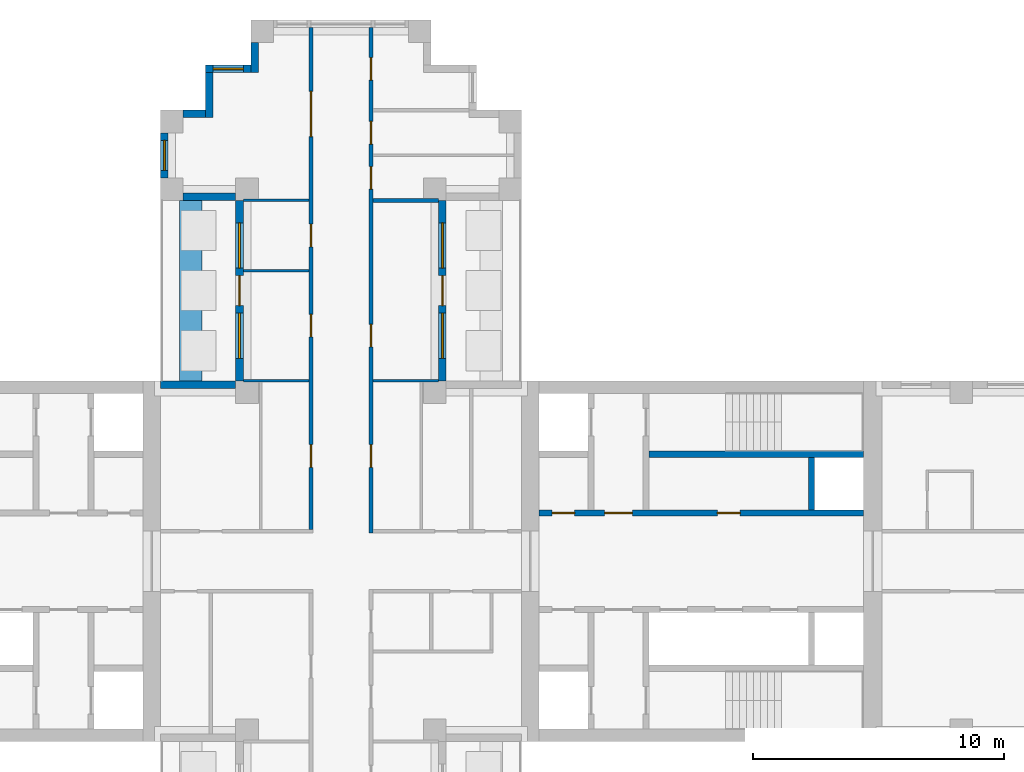
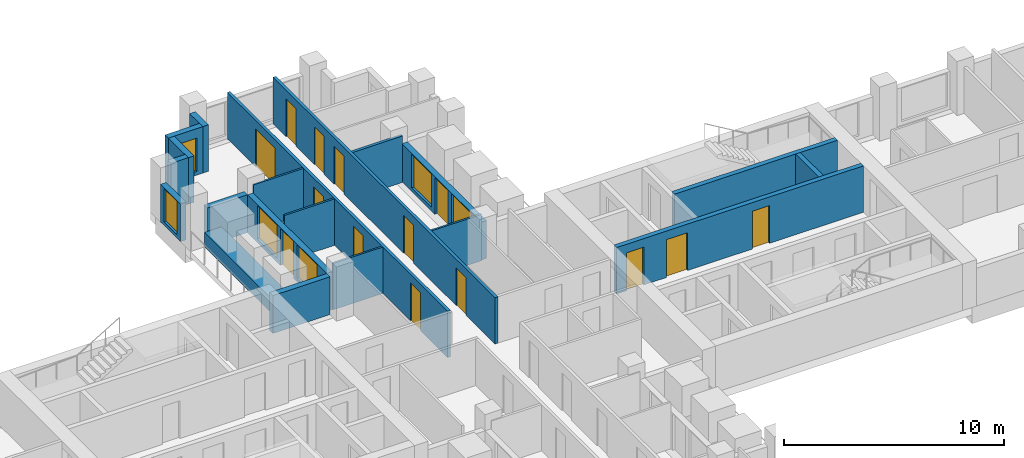
# One storey, part 9 of 14: 20 walls, 14 doors, 6 windows, 20 openings.
"""IFC4 building model written with IfcOpenShell, lengths in metres."""

from ifc_helpers import new_model, si_unit, direction, frame, frame_2d, origin, place, context, subcontext, project, spatial, rectangle, extrude, material, layer, layer_set, type_object, element, fill, save


model = new_model("IFC4")

# Units and contexts
model_context = context("Model", 3, precision=1e-05, world=origin(), true_north=direction((0.0, 1.0)))
body_context = subcontext(model_context, "Body", "Model", "MODEL_VIEW")
ifc_project = project(units=[si_unit("LENGTHUNIT", "METRE"), si_unit("AREAUNIT", "SQUARE_METRE"), si_unit("VOLUMEUNIT", "CUBIC_METRE"), si_unit("PLANEANGLEUNIT", "RADIAN"), si_unit("MASSUNIT", "GRAM", prefix="KILO")], contexts=[model_context])

# Site, building, storey
site_placement = place(None, origin())
site = spatial("IfcSite", under=ifc_project, at=site_placement, CompositionType="ELEMENT")
building_placement = place(site_placement, origin())
building = spatial("IfcBuilding", under=site, at=building_placement, Name="Fustian Cross Tower", CompositionType="ELEMENT")
storey_placement = place(building_placement, frame((0.0, 0.0, 96.89990234375)))
storey = spatial("IfcBuildingStorey", under=building, at=storey_placement, Name="L30", CompositionType="ELEMENT", Elevation=96.89990234375)

# Wall, openings, doors
ifc_material_1 = material(Name="Plasterboard on steel stud", Category="steel")
ifc_layer_1 = layer(ifc_material_1, 0.14990234375)
ifc_layer_set_1 = layer_set([ifc_layer_1], Name="Plasterboard on steel stud")
wall_type_1 = type_object("IfcWallType", Name="COMPARTMENT WALL 150 EI 60", PredefinedType="PARTITIONING", material=ifc_layer_set_1)
wall_1_placement = place(storey_placement, frame((-1.199951171875, 1.27490234375, 0.0), z_axis=(0.0, 0.0, 1.0), x_axis=(0.0, 1.0, 0.0)))
wall_1 = element("IfcWall", 1, at=wall_1_placement, inside=storey, type_object=wall_type_1, Name="Partition 42", PredefinedType="PARTITIONING", context=body_context, shape_type="SweptSolid", body=[
    extrude(rectangle(XDim=20.025146484375, YDim=0.14990234375, at=frame_2d((10.0126953125, 0.0))), origin(), (0.0, 0.0, 1.0), 2.5751953125),
])
opening_1_placement = place(wall_1_placement, frame((2.47509765625, 0.0, 0.0)))
opening_1 = element("IfcOpeningElement", 2, at=opening_1_placement, cuts=wall_1, Name="Opening D14004", PredefinedType="OPENING", context=body_context, shape_type="SweptSolid", body=[
    extrude(rectangle(XDim=0.89990234375, YDim=2.10009765625, at=frame_2d((0.449951171875, 1.050048828125))), frame((0.0, 0.0849609375, 0.0), z_axis=(0.0, -1.0, 0.0), x_axis=(1.0, 0.0, 0.0)), (0.0, 0.0, 1.0), 0.169921875),
])
opening_2_placement = place(wall_1_placement, frame((11.27490234375, 0.0, 0.0)))
opening_2 = element("IfcOpeningElement", 3, at=opening_2_placement, cuts=wall_1, Name="Opening D14020", PredefinedType="OPENING", context=body_context, shape_type="SweptSolid", body=[
    extrude(rectangle(XDim=0.89990234375, YDim=2.10009765625, at=frame_2d((0.449951171875, 1.050048828125))), frame((0.0, 0.0849609375, 0.0), z_axis=(0.0, -1.0, 0.0), x_axis=(1.0, 0.0, 0.0)), (0.0, 0.0, 1.0), 0.169921875),
])
opening_3_placement = place(wall_1_placement, frame((7.675048828125, 0.0, 0.0)))
opening_3 = element("IfcOpeningElement", 4, at=opening_3_placement, cuts=wall_1, Name="Opening D14021", PredefinedType="OPENING", context=body_context, shape_type="SweptSolid", body=[
    extrude(rectangle(XDim=0.89990234375, YDim=2.10009765625, at=frame_2d((0.449951171875, 1.050048828125))), frame((0.0, 0.0849609375, 0.0), z_axis=(0.0, -1.0, 0.0), x_axis=(1.0, 0.0, 0.0)), (0.0, 0.0, 1.0), 0.169921875),
])
opening_4_placement = place(wall_1_placement, frame((15.675048828125, 0.0, 0.0)))
opening_4 = element("IfcOpeningElement", 5, at=opening_4_placement, cuts=wall_1, Name="Opening D14022", PredefinedType="OPENING", context=body_context, shape_type="SweptSolid", body=[
    extrude(rectangle(XDim=1.800048828125, YDim=2.10009765625, at=frame_2d((0.89990234375, 1.050048828125))), frame((0.0, 0.0849609375, 0.0), z_axis=(0.0, -1.0, 0.0), x_axis=(1.0, 0.0, 0.0)), (0.0, 0.0, 1.0), 0.169921875),
])
ifc_material_2 = material(Name="Timber fire door set", Category="wood")
door_type_1 = type_object("IfcDoorType", Name="FIRE DOUBLE DOOR 1800 FD30S", OperationType="DOUBLE_DOOR_DOUBLE_SWING", PredefinedType="DOOR", material=ifc_material_2)
door_1_placement = place(opening_4_placement, frame((1.800048828125, 0.0, 0.0), z_axis=(0.0, 0.0, 1.0), x_axis=(-1.0, 0.0, 0.0)))
door_1 = element("IfcDoor", 6, at=door_1_placement, inside=storey, type_object=door_type_1, Name="Door D14022", OperationType="DOUBLE_DOOR_DOUBLE_SWING", OverallHeight=2.10009765625, OverallWidth=1.800048828125, PredefinedType="DOOR", context=body_context, shape_type="SweptSolid", body=[
    extrude(rectangle(XDim=1.800048828125, YDim=2.10009765625, at=frame_2d((0.89990234375, 1.050048828125))), frame((0.0, 0.02490234375, 0.0), z_axis=(0.0, -1.0, 0.0), x_axis=(1.0, 0.0, 0.0)), (0.0, 0.0, 1.0), 0.050048828125),
])
fill(opening_4, door_1)
ifc_material_3 = material(Name="Timber fire door set", Category="wood")
door_type_2 = type_object("IfcDoorType", Name="FIRE SWING DOOR 900 FD30S", OperationType="SINGLE_SWING_LEFT", PredefinedType="DOOR", material=ifc_material_3)
door_2_placement = place(opening_1_placement, origin())
door_2 = element("IfcDoor", 7, at=door_2_placement, inside=storey, type_object=door_type_2, Name="Door D14004", OperationType="SINGLE_SWING_LEFT", OverallHeight=2.10009765625, OverallWidth=0.89990234375, PredefinedType="DOOR", context=body_context, shape_type="SweptSolid", body=[
    extrude(rectangle(XDim=0.89990234375, YDim=2.10009765625, at=frame_2d((0.449951171875, 1.050048828125))), frame((0.0, 0.02490234375, 0.0), z_axis=(0.0, -1.0, 0.0), x_axis=(1.0, 0.0, 0.0)), (0.0, 0.0, 1.0), 0.050048828125),
])
fill(opening_1, door_2)
door_3_placement = place(opening_2_placement, origin())
door_3 = element("IfcDoor", 8, at=door_3_placement, inside=storey, type_object=door_type_2, Name="Door D14020", OperationType="SINGLE_SWING_LEFT", OverallHeight=2.10009765625, OverallWidth=0.89990234375, PredefinedType="DOOR", context=body_context, shape_type="SweptSolid", body=[
    extrude(rectangle(XDim=0.89990234375, YDim=2.10009765625, at=frame_2d((0.449951171875, 1.050048828125))), frame((0.0, 0.02490234375, 0.0), z_axis=(0.0, -1.0, 0.0), x_axis=(1.0, 0.0, 0.0)), (0.0, 0.0, 1.0), 0.050048828125),
])
fill(opening_2, door_3)
door_4_placement = place(opening_3_placement, origin())
door_4 = element("IfcDoor", 9, at=door_4_placement, inside=storey, type_object=door_type_2, Name="Door D14021", OperationType="SINGLE_SWING_LEFT", OverallHeight=2.10009765625, OverallWidth=0.89990234375, PredefinedType="DOOR", context=body_context, shape_type="SweptSolid", body=[
    extrude(rectangle(XDim=0.89990234375, YDim=2.10009765625, at=frame_2d((0.449951171875, 1.050048828125))), frame((0.0, 0.02490234375, 0.0), z_axis=(0.0, -1.0, 0.0), x_axis=(1.0, 0.0, 0.0)), (0.0, 0.0, 1.0), 0.050048828125),
])
fill(opening_3, door_4)

wall_2_placement = place(storey_placement, frame((1.199951171875, 1.125, 0.0), z_axis=(0.0, 0.0, 1.0), x_axis=(0.0, 1.0, 0.0)))
wall_2 = element("IfcWall", 10, at=wall_2_placement, inside=storey, type_object=wall_type_1, Name="Partition 50", PredefinedType="PARTITIONING", context=body_context, shape_type="SweptSolid", body=[
    extrude(rectangle(XDim=20.175048828125, YDim=0.14990234375, at=frame_2d((10.08740234375, 0.0))), origin(), (0.0, 0.0, 1.0), 2.5751953125),
])
opening_5_placement = place(wall_2_placement, frame((2.625, 0.0, 0.0)))
opening_5 = element("IfcOpeningElement", 11, at=opening_5_placement, cuts=wall_2, Name="Opening D14001", PredefinedType="OPENING", context=body_context, shape_type="SweptSolid", body=[
    extrude(rectangle(XDim=0.89990234375, YDim=2.10009765625, at=frame_2d((0.449951171875, 1.050048828125))), frame((0.0, 0.0849609375, 0.0), z_axis=(0.0, -1.0, 0.0), x_axis=(1.0, 0.0, 0.0)), (0.0, 0.0, 1.0), 0.169921875),
])
opening_6_placement = place(wall_2_placement, frame((7.425048828125, 0.0, 0.0)))
opening_6 = element("IfcOpeningElement", 12, at=opening_6_placement, cuts=wall_2, Name="Opening D14023", PredefinedType="OPENING", context=body_context, shape_type="SweptSolid", body=[
    extrude(rectangle(XDim=0.89990234375, YDim=2.10009765625, at=frame_2d((0.449951171875, 1.050048828125))), frame((0.0, 0.0849609375, 0.0), z_axis=(0.0, -1.0, 0.0), x_axis=(1.0, 0.0, 0.0)), (0.0, 0.0, 1.0), 0.169921875),
])
opening_7_placement = place(wall_2_placement, frame((13.72509765625, 0.0, 0.0)))
opening_7 = element("IfcOpeningElement", 13, at=opening_7_placement, cuts=wall_2, Name="Opening D14024", PredefinedType="OPENING", context=body_context, shape_type="SweptSolid", body=[
    extrude(rectangle(XDim=0.89990234375, YDim=2.10009765625, at=frame_2d((0.449951171875, 1.050048828125))), frame((0.0, 0.0849609375, 0.0), z_axis=(0.0, -1.0, 0.0), x_axis=(1.0, 0.0, 0.0)), (0.0, 0.0, 1.0), 0.169921875),
])
opening_8_placement = place(wall_2_placement, frame((15.52490234375, 0.0, 0.0)))
opening_8 = element("IfcOpeningElement", 14, at=opening_8_placement, cuts=wall_2, Name="Opening D14025", PredefinedType="OPENING", context=body_context, shape_type="SweptSolid", body=[
    extrude(rectangle(XDim=0.89990234375, YDim=2.10009765625, at=frame_2d((0.449951171875, 1.050048828125))), frame((0.0, 0.0849609375, 0.0), z_axis=(0.0, -1.0, 0.0), x_axis=(1.0, 0.0, 0.0)), (0.0, 0.0, 1.0), 0.169921875),
])
opening_9_placement = place(wall_2_placement, frame((18.074951171875, 0.0, 0.0)))
opening_9 = element("IfcOpeningElement", 15, at=opening_9_placement, cuts=wall_2, Name="Opening D14026", PredefinedType="OPENING", context=body_context, shape_type="SweptSolid", body=[
    extrude(rectangle(XDim=0.89990234375, YDim=2.10009765625, at=frame_2d((0.449951171875, 1.050048828125))), frame((0.0, 0.0849609375, 0.0), z_axis=(0.0, -1.0, 0.0), x_axis=(1.0, 0.0, 0.0)), (0.0, 0.0, 1.0), 0.169921875),
])
door_5_placement = place(opening_5_placement, frame((0.89990234375, 0.0, 0.0), z_axis=(0.0, 0.0, 1.0), x_axis=(-1.0, 0.0, 0.0)))
door_5 = element("IfcDoor", 16, at=door_5_placement, inside=storey, type_object=door_type_2, Name="Door D14001", OperationType="SINGLE_SWING_RIGHT", OverallHeight=2.10009765625, OverallWidth=0.89990234375, PredefinedType="DOOR", context=body_context, shape_type="SweptSolid", body=[
    extrude(rectangle(XDim=0.89990234375, YDim=2.10009765625, at=frame_2d((0.449951171875, 1.050048828125))), frame((0.0, 0.02490234375, 0.0), z_axis=(0.0, -1.0, 0.0), x_axis=(1.0, 0.0, 0.0)), (0.0, 0.0, 1.0), 0.050048828125),
])
fill(opening_5, door_5)
door_6_placement = place(opening_6_placement, frame((0.89990234375, 0.0, 0.0), z_axis=(0.0, 0.0, 1.0), x_axis=(-1.0, 0.0, 0.0)))
door_6 = element("IfcDoor", 17, at=door_6_placement, inside=storey, type_object=door_type_2, Name="Door D14023", OperationType="SINGLE_SWING_RIGHT", OverallHeight=2.10009765625, OverallWidth=0.89990234375, PredefinedType="DOOR", context=body_context, shape_type="SweptSolid", body=[
    extrude(rectangle(XDim=0.89990234375, YDim=2.10009765625, at=frame_2d((0.449951171875, 1.050048828125))), frame((0.0, 0.02490234375, 0.0), z_axis=(0.0, -1.0, 0.0), x_axis=(1.0, 0.0, 0.0)), (0.0, 0.0, 1.0), 0.050048828125),
])
fill(opening_6, door_6)
door_7_placement = place(opening_7_placement, frame((0.89990234375, 0.0, 0.0), z_axis=(0.0, 0.0, 1.0), x_axis=(-1.0, 0.0, 0.0)))
door_7 = element("IfcDoor", 18, at=door_7_placement, inside=storey, type_object=door_type_2, Name="Door D14024", OperationType="SINGLE_SWING_LEFT", OverallHeight=2.10009765625, OverallWidth=0.89990234375, PredefinedType="DOOR", context=body_context, shape_type="SweptSolid", body=[
    extrude(rectangle(XDim=0.89990234375, YDim=2.10009765625, at=frame_2d((0.449951171875, 1.050048828125))), frame((0.0, 0.02490234375, 0.0), z_axis=(0.0, -1.0, 0.0), x_axis=(1.0, 0.0, 0.0)), (0.0, 0.0, 1.0), 0.050048828125),
])
fill(opening_7, door_7)
door_8_placement = place(opening_8_placement, frame((0.89990234375, 0.0, 0.0), z_axis=(0.0, 0.0, 1.0), x_axis=(-1.0, 0.0, 0.0)))
door_8 = element("IfcDoor", 19, at=door_8_placement, inside=storey, type_object=door_type_2, Name="Door D14025", OperationType="SINGLE_SWING_LEFT", OverallHeight=2.10009765625, OverallWidth=0.89990234375, PredefinedType="DOOR", context=body_context, shape_type="SweptSolid", body=[
    extrude(rectangle(XDim=0.89990234375, YDim=2.10009765625, at=frame_2d((0.449951171875, 1.050048828125))), frame((0.0, 0.02490234375, 0.0), z_axis=(0.0, -1.0, 0.0), x_axis=(1.0, 0.0, 0.0)), (0.0, 0.0, 1.0), 0.050048828125),
])
fill(opening_8, door_8)
door_9_placement = place(opening_9_placement, frame((0.89990234375, 0.0, 0.0), z_axis=(0.0, 0.0, 1.0), x_axis=(-1.0, 0.0, 0.0)))
door_9 = element("IfcDoor", 20, at=door_9_placement, inside=storey, type_object=door_type_2, Name="Door D14026", OperationType="SINGLE_SWING_RIGHT", OverallHeight=2.10009765625, OverallWidth=0.89990234375, PredefinedType="DOOR", context=body_context, shape_type="SweptSolid", body=[
    extrude(rectangle(XDim=0.89990234375, YDim=2.10009765625, at=frame_2d((0.449951171875, 1.050048828125))), frame((0.0, 0.02490234375, 0.0), z_axis=(0.0, -1.0, 0.0), x_axis=(1.0, 0.0, 0.0)), (0.0, 0.0, 1.0), 0.050048828125),
])
fill(opening_9, door_9)

# Wall
wall_3_placement = place(storey_placement, frame((1.27490234375, 14.39990234375, 0.0), z_axis=(0.0, 0.0, 1.0), x_axis=(1.0, 0.0, 0.0)))
element("IfcWall", 21, at=wall_3_placement, inside=storey, type_object=wall_type_1, Name="Partition 53", PredefinedType="PARTITIONING", context=body_context, shape_type="SweptSolid", body=[
    extrude(rectangle(XDim=2.625, YDim=0.14990234375, at=frame_2d((1.3125, 0.0))), origin(), (0.0, 0.0, 1.0), 2.5751953125),
])

# Wall, openings, doors
ifc_material_4 = material(Name="Concrete C50/60", Category="concrete")
ifc_layer_2 = layer(ifc_material_4, 0.25)
ifc_layer_set_2 = layer_set([ifc_layer_2], Name="Concrete C50/60")
wall_type_2 = type_object("IfcWallType", Name="CORE LOBBY WALL 250 C50/60", PredefinedType="SHEAR", material=ifc_layer_set_2)
wall_4_placement = place(storey_placement, frame((7.89990234375, 1.925048828125, 0.0), z_axis=(0.0, 0.0, 1.0), x_axis=(1.0, 0.0, 0.0)))
wall_4 = element("IfcWall", 22, at=wall_4_placement, inside=storey, type_object=wall_type_2, Name="Core lobby wall", PredefinedType="SHEAR", context=body_context, shape_type="SweptSolid", body=[
    extrude(rectangle(XDim=12.9501953125, YDim=0.25, at=frame_2d((6.47509765625, 0.0))), origin(), (0.0, 0.0, 1.0), 2.5751953125),
])
opening_10_placement = place(wall_4_placement, frame((0.52490234375, 0.0, 0.0)))
opening_10 = element("IfcOpeningElement", 23, at=opening_10_placement, cuts=wall_4, Name="Opening CD-09-08", PredefinedType="OPENING", context=body_context, shape_type="SweptSolid", body=[
    extrude(rectangle(XDim=0.89990234375, YDim=2.10009765625, at=frame_2d((0.449951171875, 1.050048828125))), frame((0.0, 0.135009765625, 0.0), z_axis=(0.0, -1.0, 0.0), x_axis=(1.0, 0.0, 0.0)), (0.0, 0.0, 1.0), 0.27001953125),
])
opening_11_placement = place(wall_4_placement, frame((2.625, 0.0, 0.0)))
opening_11 = element("IfcOpeningElement", 24, at=opening_11_placement, cuts=wall_4, Name="Opening CD-09-10", PredefinedType="OPENING", context=body_context, shape_type="SweptSolid", body=[
    extrude(rectangle(XDim=1.10009765625, YDim=2.10009765625, at=frame_2d((0.550048828125, 1.050048828125))), frame((0.0, 0.135009765625, 0.0), z_axis=(0.0, -1.0, 0.0), x_axis=(1.0, 0.0, 0.0)), (0.0, 0.0, 1.0), 0.27001953125),
])
opening_12_placement = place(wall_4_placement, frame((7.125, 0.0, 0.0)))
opening_12 = element("IfcOpeningElement", 25, at=opening_12_placement, cuts=wall_4, Name="Opening CD-09-14", PredefinedType="OPENING", context=body_context, shape_type="SweptSolid", body=[
    extrude(rectangle(XDim=0.89990234375, YDim=2.10009765625, at=frame_2d((0.449951171875, 1.050048828125))), frame((0.0, 0.135009765625, 0.0), z_axis=(0.0, -1.0, 0.0), x_axis=(1.0, 0.0, 0.0)), (0.0, 0.0, 1.0), 0.27001953125),
])
ifc_material_5 = material(Name="Steel", Category="steel")
door_type_3 = type_object("IfcDoorType", Name="FIRE DOOR FD30S 900X2100", OperationType="SINGLE_SWING_LEFT", PredefinedType="DOOR", material=ifc_material_5)
door_10_placement = place(opening_12_placement, origin())
door_10 = element("IfcDoor", 26, at=door_10_placement, inside=storey, type_object=door_type_3, Name="Core door CD-09-14", OperationType="SINGLE_SWING_LEFT", OverallHeight=2.10009765625, OverallWidth=0.89990234375, PredefinedType="DOOR", context=body_context, shape_type="SweptSolid", body=[
    extrude(rectangle(XDim=0.89990234375, YDim=2.10009765625, at=frame_2d((0.449951171875, 1.050048828125))), frame((0.0, 0.02490234375, 0.0), z_axis=(0.0, -1.0, 0.0), x_axis=(1.0, 0.0, 0.0)), (0.0, 0.0, 1.0), 0.050048828125),
])
fill(opening_12, door_10)
ifc_material_6 = material(Name="Steel", Category="steel")
door_type_4 = type_object("IfcDoorType", Name="FIRE DOOR FD60S 1100X2100", OperationType="SINGLE_SWING_LEFT", PredefinedType="DOOR", material=ifc_material_6)
door_11_placement = place(opening_11_placement, frame((1.10009765625, 0.0, 0.0), z_axis=(0.0, 0.0, 1.0), x_axis=(-1.0, 0.0, 0.0)))
door_11 = element("IfcDoor", 27, at=door_11_placement, inside=storey, type_object=door_type_4, Name="Core door CD-09-10", OperationType="SINGLE_SWING_RIGHT", OverallHeight=2.10009765625, OverallWidth=1.10009765625, PredefinedType="DOOR", context=body_context, shape_type="SweptSolid", body=[
    extrude(rectangle(XDim=1.10009765625, YDim=2.10009765625, at=frame_2d((0.550048828125, 1.050048828125))), frame((0.0, 0.02490234375, 0.0), z_axis=(0.0, -1.0, 0.0), x_axis=(1.0, 0.0, 0.0)), (0.0, 0.0, 1.0), 0.050048828125),
])
fill(opening_11, door_11)
ifc_material_7 = material(Name="Steel", Category="steel")
door_type_5 = type_object("IfcDoorType", Name="FIRE DOOR FD60S 900X2100", OperationType="SINGLE_SWING_LEFT", PredefinedType="DOOR", material=ifc_material_7)
door_12_placement = place(opening_10_placement, origin())
door_12 = element("IfcDoor", 28, at=door_12_placement, inside=storey, type_object=door_type_5, Name="Core door CD-09-08", OperationType="SINGLE_SWING_LEFT", OverallHeight=2.10009765625, OverallWidth=0.89990234375, PredefinedType="DOOR", context=body_context, shape_type="SweptSolid", body=[
    extrude(rectangle(XDim=0.89990234375, YDim=2.10009765625, at=frame_2d((0.449951171875, 1.050048828125))), frame((0.0, 0.02490234375, 0.0), z_axis=(0.0, -1.0, 0.0), x_axis=(1.0, 0.0, 0.0)), (0.0, 0.0, 1.0), 0.050048828125),
])
fill(opening_10, door_12)

# Walls
ifc_material_8 = material(Name="Concrete C50/60", Category="concrete")
ifc_layer_3 = layer(ifc_material_8, 0.25)
ifc_layer_set_3 = layer_set([ifc_layer_3], Name="Concrete C50/60")
wall_type_3 = type_object("IfcWallType", Name="CORE SHAFT WALL 250 C50/60", PredefinedType="SHEAR", material=ifc_layer_set_3)
wall_5_placement = place(storey_placement, frame((12.300048828125, 4.27490234375, 0.0), z_axis=(0.0, 0.0, 1.0), x_axis=(1.0, 0.0, 0.0)))
element("IfcWall", 29, at=wall_5_placement, inside=storey, type_object=wall_type_3, Name="Core shaft wall", PredefinedType="SHEAR", context=body_context, shape_type="SweptSolid", body=[
    extrude(rectangle(XDim=8.550048828125, YDim=0.25, at=frame_2d((4.27490234375, 0.0))), origin(), (0.0, 0.0, 1.0), 2.5751953125),
])
ifc_material_9 = material(Name="Plasterboard on steel stud", Category="steel")
ifc_layer_4 = layer(ifc_material_9, 0.10009765625)
ifc_layer_set_4 = layer_set([ifc_layer_4], Name="Plasterboard on steel stud")
wall_type_4 = type_object("IfcWallType", Name="PARTITION 100 STUD", PredefinedType="PARTITIONING", material=ifc_layer_set_4)
for number, where, z_axis, x_axis, name in (
    (30, (-3.89990234375, 7.199951171875, 0.0), (0.0, 0.0, 1.0), (1.0, 0.0, 0.0), "Partition 35"),
    (31, (-3.89990234375, 11.60009765625, 0.0), (0.0, 0.0, 1.0), (1.0, 0.0, 0.0), "Partition 36"),
    (32, (-3.89990234375, 14.39990234375, 0.0), (0.0, 0.0, 1.0), (1.0, 0.0, 0.0), "Partition 37"),
    (33, (1.27490234375, 7.199951171875, 0.0), (0.0, 0.0, 1.0), (1.0, 0.0, 0.0), "Partition 52"),
):
    element("IfcWall", number, at=place(storey_placement, frame(where, z_axis=z_axis, x_axis=x_axis)), inside=storey, type_object=wall_type_4, Name=name, PredefinedType="PARTITIONING", context=body_context, shape_type="SweptSolid", body=[
        extrude(rectangle(XDim=2.625, YDim=0.10009765625, at=frame_2d((1.3125, 0.0))), origin(), (0.0, 0.0, 1.0), 2.5751953125),
    ])
ifc_material_10 = material(Name="Concrete C40/50", Category="concrete")
ifc_layer_5 = layer(ifc_material_10, 0.89990234375)
ifc_layer_set_5 = layer_set([ifc_layer_5], Name="Concrete C40/50")
wall_type_5 = type_object("IfcWallType", Name="PK1 PLANTER 900", PredefinedType="PARAPET", material=ifc_layer_set_5)
wall_6_placement = place(storey_placement, frame((-6.0, 7.199951171875, 0.0), z_axis=(0.0, 0.0, 1.0), x_axis=(0.0, 1.0, 0.0)))
element("IfcWall", 34, at=wall_6_placement, inside=storey, type_object=wall_type_5, Name="PLANTER", PredefinedType="PARAPET", context=body_context, shape_type="SweptSolid", body=[
    extrude(rectangle(XDim=7.199951171875, YDim=0.89990234375, at=frame_2d((3.60009765625, 0.0))), origin(), (0.0, 0.0, 1.0), 0.800048828125),
])
ifc_material_11 = material(Name="Concrete C40/50", Category="concrete")
ifc_layer_6 = layer(ifc_material_11, 0.25)
ifc_layer_set_6 = layer_set([ifc_layer_6], Name="Concrete C40/50")
wall_type_6 = type_object("IfcWallType", Name="SHAFT PARTITION WALL 250 C40/50", PredefinedType="PARTITIONING", material=ifc_layer_set_6)
wall_7_placement = place(storey_placement, frame((18.77490234375, 2.050048828125, 0.0), z_axis=(0.0, 0.0, 1.0), x_axis=(0.0, 1.0, 0.0)))
element("IfcWall", 35, at=wall_7_placement, inside=storey, type_object=wall_type_6, Name="Core shaft wall", PredefinedType="PARTITIONING", context=body_context, shape_type="SweptSolid", body=[
    extrude(rectangle(XDim=2.099853515625, YDim=0.25, at=frame_2d((1.0498046875, 0.0))), origin(), (0.0, 0.0, 1.0), 2.5751953125),
])

# Wall, openings, door, windows
ifc_material_12 = material(Name="Dark aluminium cladding on insulated backing wall", Category="aluminium")
ifc_layer_7 = layer(ifc_material_12, 0.300048828125)
ifc_layer_set_7 = layer_set([ifc_layer_7], Name="Dark aluminium cladding on insulated backing wall")
wall_type_7 = type_object("IfcWallType", Name="XW1 EXTERNAL WALL 300", PredefinedType="SOLIDWALL", material=ifc_layer_set_7)
wall_8_placement = place(storey_placement, frame((4.050048828125, 7.199951171875, 0.0), z_axis=(0.0, 0.0, 1.0), x_axis=(0.0, 1.0, 0.0)))
wall_8 = element("IfcWall", 36, at=wall_8_placement, inside=storey, type_object=wall_type_7, Name="External wall", PredefinedType="SOLIDWALL", context=body_context, shape_type="SweptSolid", body=[
    extrude(rectangle(XDim=7.199951171875, YDim=0.300048828125, at=frame_2d((3.60009765625, 0.0))), origin(), (0.0, 0.0, 1.0), 2.10009765625),
])
opening_13_placement = place(wall_8_placement, frame((3.0, 0.0, 0.0)))
opening_13 = element("IfcOpeningElement", 37, at=opening_13_placement, cuts=wall_8, Name="Opening XD1", PredefinedType="OPENING", context=body_context, shape_type="SweptSolid", body=[
    extrude(rectangle(XDim=1.199951171875, YDim=2.050048828125, at=frame_2d((0.60009765625, 1.02490234375))), frame((0.0, 0.159912109375, 0.0), z_axis=(0.0, -1.0, 0.0), x_axis=(1.0, 0.0, 0.0)), (0.0, 0.0, 1.0), 0.320068359375),
])
opening_14_placement = place(wall_8_placement, frame((0.89990234375, 0.0, 0.199951171875)))
opening_14 = element("IfcOpeningElement", 38, at=opening_14_placement, cuts=wall_8, Name="Opening WN2", PredefinedType="OPENING", context=body_context, shape_type="SweptSolid", body=[
    extrude(rectangle(XDim=1.800048828125, YDim=1.85009765625, at=frame_2d((0.89990234375, 0.925048828125))), frame((0.0, 0.159912109375, 0.0), z_axis=(0.0, -1.0, 0.0), x_axis=(1.0, 0.0, 0.0)), (0.0, 0.0, 1.0), 0.320068359375),
])
opening_15_placement = place(wall_8_placement, frame((4.5, 0.0, 0.199951171875)))
opening_15 = element("IfcOpeningElement", 39, at=opening_15_placement, cuts=wall_8, Name="Opening WN2", PredefinedType="OPENING", context=body_context, shape_type="SweptSolid", body=[
    extrude(rectangle(XDim=1.800048828125, YDim=1.85009765625, at=frame_2d((0.89990234375, 0.925048828125))), frame((0.0, 0.159912109375, 0.0), z_axis=(0.0, -1.0, 0.0), x_axis=(1.0, 0.0, 0.0)), (0.0, 0.0, 1.0), 0.320068359375),
])
ifc_material_13 = material(Name="Dark anodised aluminium and double glazing", Category="aluminium")
door_type_6 = type_object("IfcDoorType", Name="ED1 BALCONY DOOR 1200X2050", OperationType="SINGLE_SWING_LEFT", PredefinedType="DOOR", material=ifc_material_13)
door_13_placement = place(opening_13_placement, origin())
door_13 = element("IfcDoor", 40, at=door_13_placement, inside=storey, type_object=door_type_6, Name="Balcony door", OperationType="SINGLE_SWING_LEFT", OverallHeight=2.050048828125, OverallWidth=1.199951171875, PredefinedType="DOOR", context=body_context, shape_type="SweptSolid", body=[
    extrude(rectangle(XDim=1.199951171875, YDim=2.050048828125, at=frame_2d((0.60009765625, 1.02490234375))), frame((0.0, 0.02490234375, 0.0), z_axis=(0.0, -1.0, 0.0), x_axis=(1.0, 0.0, 0.0)), (0.0, 0.0, 1.0), 0.050048828125),
])
fill(opening_13, door_13)
ifc_material_14 = material(Name="Dark anodised aluminium and double glazing", Category="aluminium")
window_type_1 = type_object("IfcWindowType", Name="WN2 WINDOW 1800X1850", PartitioningType="SINGLE_PANEL", PredefinedType="WINDOW", material=ifc_material_14)
window_1_placement = place(opening_14_placement, origin())
window_1 = element("IfcWindow", 41, at=window_1_placement, inside=storey, type_object=window_type_1, Name="Window", OverallHeight=1.85009765625, OverallWidth=1.800048828125, PartitioningType="SINGLE_PANEL", PredefinedType="WINDOW", context=body_context, shape_type="SweptSolid", body=[
    extrude(rectangle(XDim=1.800048828125, YDim=1.85009765625, at=frame_2d((0.89990234375, 0.925048828125))), frame((0.0, 0.030029296875, 0.0), z_axis=(0.0, -1.0, 0.0), x_axis=(1.0, 0.0, 0.0)), (0.0, 0.0, 1.0), 0.06005859375),
])
fill(opening_14, window_1)
window_2_placement = place(opening_15_placement, origin())
window_2 = element("IfcWindow", 42, at=window_2_placement, inside=storey, type_object=window_type_1, Name="Window", OverallHeight=1.85009765625, OverallWidth=1.800048828125, PartitioningType="SINGLE_PANEL", PredefinedType="WINDOW", context=body_context, shape_type="SweptSolid", body=[
    extrude(rectangle(XDim=1.800048828125, YDim=1.85009765625, at=frame_2d((0.89990234375, 0.925048828125))), frame((0.0, 0.030029296875, 0.0), z_axis=(0.0, -1.0, 0.0), x_axis=(1.0, 0.0, 0.0)), (0.0, 0.0, 1.0), 0.06005859375),
])
fill(opening_15, window_2)

# Wall
wall_9_placement = place(storey_placement, frame((-3.449951171875, 20.699951171875, 0.0), z_axis=(0.0, 0.0, 1.0), x_axis=(0.0, -1.0, 0.0)))
element("IfcWall", 43, at=wall_9_placement, inside=storey, type_object=wall_type_7, Name="External wall", PredefinedType="SOLIDWALL", context=body_context, shape_type="SweptSolid", body=[
    extrude(rectangle(XDim=1.199951171875, YDim=0.300048828125, at=frame_2d((0.60009765625, 0.0))), origin(), (0.0, 0.0, 1.0), 2.5751953125),
])

# Wall, opening, window
wall_10_placement = place(storey_placement, frame((-3.60009765625, 19.64990234375, 0.0), z_axis=(0.0, 0.0, 1.0), x_axis=(-1.0, 0.0, 0.0)))
wall_10 = element("IfcWall", 44, at=wall_10_placement, inside=storey, type_object=wall_type_7, Name="External wall", PredefinedType="SOLIDWALL", context=body_context, shape_type="SweptSolid", body=[
    extrude(rectangle(XDim=1.7998046875, YDim=0.300048828125, at=frame_2d((0.89990234375, 0.0))), origin(), (0.0, 0.0, 1.0), 2.5751953125),
])
opening_16_placement = place(wall_10_placement, frame((0.300048828125, 0.0, 0.199951171875)))
opening_16 = element("IfcOpeningElement", 45, at=opening_16_placement, cuts=wall_10, Name="Opening WN3", PredefinedType="OPENING", context=body_context, shape_type="SweptSolid", body=[
    extrude(rectangle(XDim=1.199951171875, YDim=1.85009765625, at=frame_2d((0.60009765625, 0.925048828125))), frame((0.0, 0.159912109375, 0.0), z_axis=(0.0, -1.0, 0.0), x_axis=(1.0, 0.0, 0.0)), (0.0, 0.0, 1.0), 0.320068359375),
])
ifc_material_15 = material(Name="Dark anodised aluminium and double glazing", Category="aluminium")
window_type_2 = type_object("IfcWindowType", Name="WN3 WINDOW 1200X1850", PartitioningType="SINGLE_PANEL", PredefinedType="WINDOW", material=ifc_material_15)
window_3_placement = place(opening_16_placement, origin())
window_3 = element("IfcWindow", 46, at=window_3_placement, inside=storey, type_object=window_type_2, Name="Window", OverallHeight=1.85009765625, OverallWidth=1.199951171875, PartitioningType="SINGLE_PANEL", PredefinedType="WINDOW", context=body_context, shape_type="SweptSolid", body=[
    extrude(rectangle(XDim=1.199951171875, YDim=1.85009765625, at=frame_2d((0.60009765625, 0.925048828125))), frame((0.0, 0.030029296875, 0.0), z_axis=(0.0, -1.0, 0.0), x_axis=(1.0, 0.0, 0.0)), (0.0, 0.0, 1.0), 0.06005859375),
])
fill(opening_16, window_3)

# Walls
wall_11_placement = place(storey_placement, frame((-5.25, 19.5, 0.0), z_axis=(0.0, 0.0, 1.0), x_axis=(0.0, -1.0, 0.0)))
element("IfcWall", 47, at=wall_11_placement, inside=storey, type_object=wall_type_7, Name="External wall", PredefinedType="SOLIDWALL", context=body_context, shape_type="SweptSolid", body=[
    extrude(rectangle(XDim=1.800048828125, YDim=0.300048828125, at=frame_2d((0.89990234375, 0.0))), origin(), (0.0, 0.0, 1.0), 2.5751953125),
])
wall_12_placement = place(storey_placement, frame((-5.39990234375, 17.85009765625, 0.0), z_axis=(0.0, 0.0, 1.0), x_axis=(-1.0, 0.0, 0.0)))
element("IfcWall", 48, at=wall_12_placement, inside=storey, type_object=wall_type_7, Name="External wall", PredefinedType="SOLIDWALL", context=body_context, shape_type="SweptSolid", body=[
    extrude(rectangle(XDim=0.900146484375, YDim=0.300048828125, at=frame_2d((0.4501953125, 0.0))), origin(), (0.0, 0.0, 1.0), 2.5751953125),
])

# Wall, opening, window
wall_13_placement = place(storey_placement, frame((-7.050048828125, 17.10009765625, 0.0), z_axis=(0.0, 0.0, 1.0), x_axis=(0.0, -1.0, 0.0)))
wall_13 = element("IfcWall", 49, at=wall_13_placement, inside=storey, type_object=wall_type_7, Name="External wall", PredefinedType="SOLIDWALL", context=body_context, shape_type="SweptSolid", body=[
    extrude(rectangle(XDim=1.800048828125, YDim=0.300048828125, at=frame_2d((0.89990234375, 0.0))), origin(), (0.0, 0.0, 1.0), 2.10009765625),
])
opening_17_placement = place(wall_13_placement, frame((0.300048828125, 0.0, 0.199951171875)))
opening_17 = element("IfcOpeningElement", 50, at=opening_17_placement, cuts=wall_13, Name="Opening WN3", PredefinedType="OPENING", context=body_context, shape_type="SweptSolid", body=[
    extrude(rectangle(XDim=1.199951171875, YDim=1.85009765625, at=frame_2d((0.60009765625, 0.925048828125))), frame((0.0, 0.159912109375, 0.0), z_axis=(0.0, -1.0, 0.0), x_axis=(1.0, 0.0, 0.0)), (0.0, 0.0, 1.0), 0.320068359375),
])
window_4_placement = place(opening_17_placement, origin())
window_4 = element("IfcWindow", 51, at=window_4_placement, inside=storey, type_object=window_type_2, Name="Window", OverallHeight=1.85009765625, OverallWidth=1.199951171875, PartitioningType="SINGLE_PANEL", PredefinedType="WINDOW", context=body_context, shape_type="SweptSolid", body=[
    extrude(rectangle(XDim=1.199951171875, YDim=1.85009765625, at=frame_2d((0.60009765625, 0.925048828125))), frame((0.0, 0.030029296875, 0.0), z_axis=(0.0, -1.0, 0.0), x_axis=(1.0, 0.0, 0.0)), (0.0, 0.0, 1.0), 0.06005859375),
])
fill(opening_17, window_4)

# Wall
wall_14_placement = place(storey_placement, frame((-6.300048828125, 14.550048828125, 0.0), z_axis=(0.0, 0.0, 1.0), x_axis=(1.0, 0.0, 0.0)))
element("IfcWall", 52, at=wall_14_placement, inside=storey, type_object=wall_type_7, Name="External wall", PredefinedType="SOLIDWALL", context=body_context, shape_type="SweptSolid", body=[
    extrude(rectangle(XDim=2.10009765625, YDim=0.300048828125, at=frame_2d((1.050048828125, 0.0))), origin(), (0.0, 0.0, 1.0), 2.10009765625),
])

# Wall, openings, door, windows
wall_15_placement = place(storey_placement, frame((-4.050048828125, 14.39990234375, 0.0), z_axis=(0.0, 0.0, 1.0), x_axis=(0.0, -1.0, 0.0)))
wall_15 = element("IfcWall", 53, at=wall_15_placement, inside=storey, type_object=wall_type_7, Name="External wall", PredefinedType="SOLIDWALL", context=body_context, shape_type="SweptSolid", body=[
    extrude(rectangle(XDim=7.199951171875, YDim=0.300048828125, at=frame_2d((3.60009765625, 0.0))), origin(), (0.0, 0.0, 1.0), 2.10009765625),
])
opening_18_placement = place(wall_15_placement, frame((3.0, 0.0, 0.0)))
opening_18 = element("IfcOpeningElement", 54, at=opening_18_placement, cuts=wall_15, Name="Opening XD2", PredefinedType="OPENING", context=body_context, shape_type="SweptSolid", body=[
    extrude(rectangle(XDim=1.199951171875, YDim=2.050048828125, at=frame_2d((0.60009765625, 1.02490234375))), frame((0.0, 0.159912109375, 0.0), z_axis=(0.0, -1.0, 0.0), x_axis=(1.0, 0.0, 0.0)), (0.0, 0.0, 1.0), 0.320068359375),
])
opening_19_placement = place(wall_15_placement, frame((0.89990234375, 0.0, 0.199951171875)))
opening_19 = element("IfcOpeningElement", 55, at=opening_19_placement, cuts=wall_15, Name="Opening WN2", PredefinedType="OPENING", context=body_context, shape_type="SweptSolid", body=[
    extrude(rectangle(XDim=1.800048828125, YDim=1.85009765625, at=frame_2d((0.89990234375, 0.925048828125))), frame((0.0, 0.159912109375, 0.0), z_axis=(0.0, -1.0, 0.0), x_axis=(1.0, 0.0, 0.0)), (0.0, 0.0, 1.0), 0.320068359375),
])
opening_20_placement = place(wall_15_placement, frame((4.5, 0.0, 0.199951171875)))
opening_20 = element("IfcOpeningElement", 56, at=opening_20_placement, cuts=wall_15, Name="Opening WN2", PredefinedType="OPENING", context=body_context, shape_type="SweptSolid", body=[
    extrude(rectangle(XDim=1.800048828125, YDim=1.85009765625, at=frame_2d((0.89990234375, 0.925048828125))), frame((0.0, 0.159912109375, 0.0), z_axis=(0.0, -1.0, 0.0), x_axis=(1.0, 0.0, 0.0)), (0.0, 0.0, 1.0), 0.320068359375),
])
door_14_placement = place(opening_18_placement, origin())
door_14 = element("IfcDoor", 57, at=door_14_placement, inside=storey, type_object=door_type_6, Name="Balcony door", OperationType="SINGLE_SWING_LEFT", OverallHeight=2.050048828125, OverallWidth=1.199951171875, PredefinedType="DOOR", context=body_context, shape_type="SweptSolid", body=[
    extrude(rectangle(XDim=1.199951171875, YDim=2.050048828125, at=frame_2d((0.60009765625, 1.02490234375))), frame((0.0, 0.02490234375, 0.0), z_axis=(0.0, -1.0, 0.0), x_axis=(1.0, 0.0, 0.0)), (0.0, 0.0, 1.0), 0.050048828125),
])
fill(opening_18, door_14)
window_5_placement = place(opening_19_placement, origin())
window_5 = element("IfcWindow", 58, at=window_5_placement, inside=storey, type_object=window_type_1, Name="Window", OverallHeight=1.85009765625, OverallWidth=1.800048828125, PartitioningType="SINGLE_PANEL", PredefinedType="WINDOW", context=body_context, shape_type="SweptSolid", body=[
    extrude(rectangle(XDim=1.800048828125, YDim=1.85009765625, at=frame_2d((0.89990234375, 0.925048828125))), frame((0.0, 0.030029296875, 0.0), z_axis=(0.0, -1.0, 0.0), x_axis=(1.0, 0.0, 0.0)), (0.0, 0.0, 1.0), 0.06005859375),
])
fill(opening_19, window_5)
window_6_placement = place(opening_20_placement, origin())
window_6 = element("IfcWindow", 59, at=window_6_placement, inside=storey, type_object=window_type_1, Name="Window", OverallHeight=1.85009765625, OverallWidth=1.800048828125, PartitioningType="SINGLE_PANEL", PredefinedType="WINDOW", context=body_context, shape_type="SweptSolid", body=[
    extrude(rectangle(XDim=1.800048828125, YDim=1.85009765625, at=frame_2d((0.89990234375, 0.925048828125))), frame((0.0, 0.030029296875, 0.0), z_axis=(0.0, -1.0, 0.0), x_axis=(1.0, 0.0, 0.0)), (0.0, 0.0, 1.0), 0.06005859375),
])
fill(opening_20, window_6)

# Wall
wall_16_placement = place(storey_placement, frame((-4.199951171875, 7.050048828125, 0.0), z_axis=(0.0, 0.0, 1.0), x_axis=(-1.0, 0.0, 0.0)))
element("IfcWall", 60, at=wall_16_placement, inside=storey, type_object=wall_type_7, Name="External wall", PredefinedType="SOLIDWALL", context=body_context, shape_type="SweptSolid", body=[
    extrude(rectangle(XDim=3.0, YDim=0.300048828125, at=frame_2d((1.5, 0.0))), origin(), (0.0, 0.0, 1.0), 2.10009765625),
])

save(model, "model.ifc")
